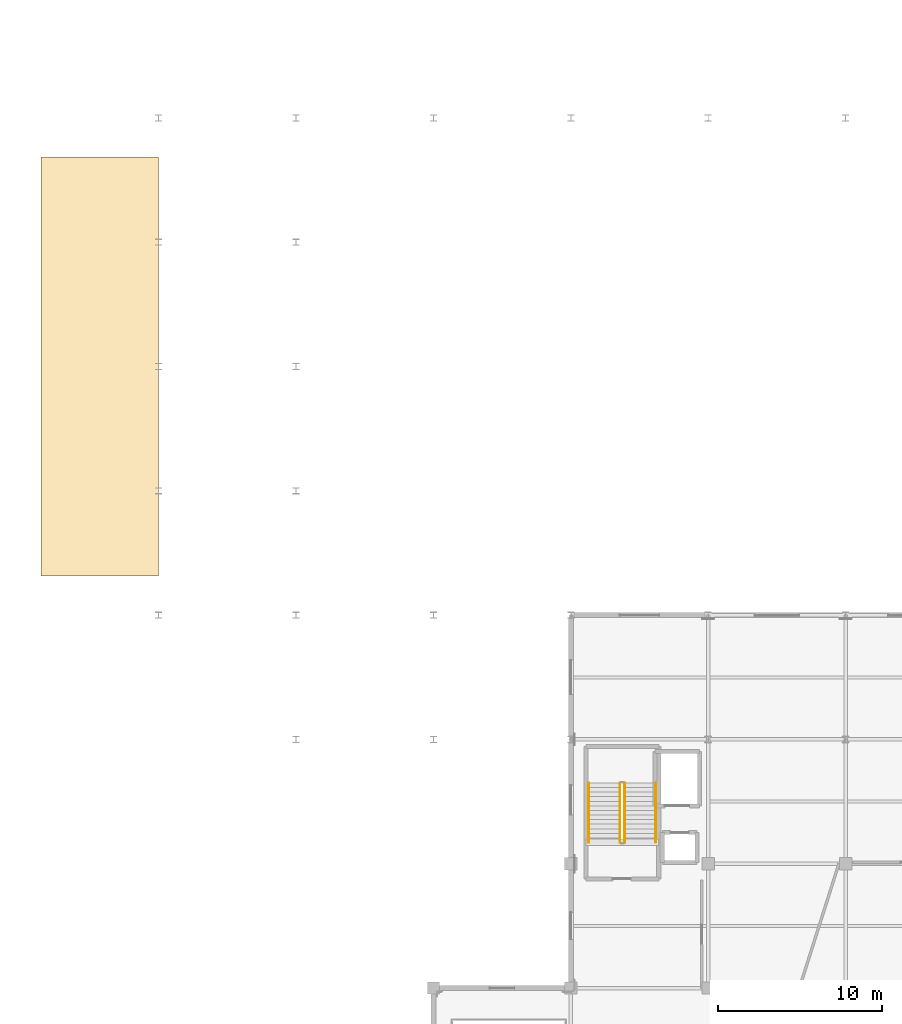
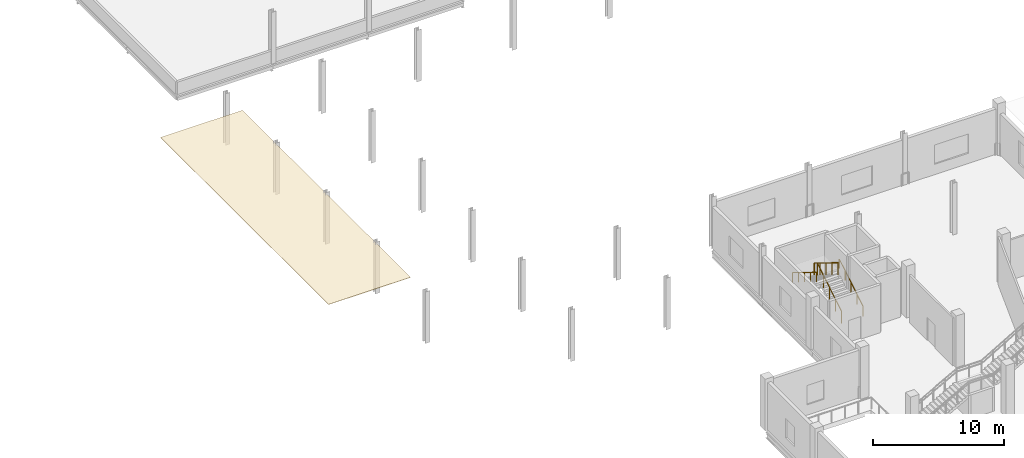
# One storey, part 36 of 51: 4 railings, 1 covering.
"""IFC4 building model written with IfcOpenShell, lengths in metres."""

from ifc_helpers import new_model, si_unit, direction, frame, origin, origin_2d, place, context, subcontext, project, spatial, polyline, circle, outline, extrude, material, layer, layer_set, type_object, element, save


model = new_model("IFC4")

# Units and contexts
model_context = context("Model", 3, precision=1e-05, world=origin(), true_north=direction((0.0, 1.0)))
body_context = subcontext(model_context, "Body", "Model", "MODEL_VIEW")
ifc_project = project(units=[si_unit("LENGTHUNIT", "METRE"), si_unit("AREAUNIT", "SQUARE_METRE"), si_unit("VOLUMEUNIT", "CUBIC_METRE"), si_unit("PLANEANGLEUNIT", "RADIAN"), si_unit("MASSUNIT", "GRAM", prefix="KILO")], contexts=[model_context])

# Site, building, storey
site_placement = place(None, origin())
site = spatial("IfcSite", under=ifc_project, at=site_placement, CompositionType="ELEMENT")
building_placement = place(site_placement, origin())
building = spatial("IfcBuilding", under=site, at=building_placement, Name="Zuvorla Pavilion Media Centre", CompositionType="ELEMENT")
storey_placement = place(building_placement, frame((0.0, 0.0, 4.800048828125)))
storey = spatial("IfcBuildingStorey", under=building, at=storey_placement, Name="L01", CompositionType="ELEMENT", Elevation=4.800048828125)

# Covering
ifc_material_1 = material(Name="Odum Iroko hardwood timber acoustic slats", Category="wood")
ifc_layer = layer(ifc_material_1, 0.0400390625)
ifc_layer_set = layer_set([ifc_layer], Name="Odum Iroko hardwood timber acoustic slats")
covering_type = type_object("IfcCoveringType", Name="COV-SOFFIT-ODUM", PredefinedType="CEILING", material=ifc_layer_set)
covering_placement = place(storey_placement, frame((0.0, 0.0, 4.5)))
element("IfcCovering", 1, at=covering_placement, inside=storey, type_object=covering_type, Name="L01 Odum timber soffit SOF-WEST", PredefinedType="CEILING", context=body_context, shape_type="SweptSolid", body=[
    extrude(outline(polyline([(9.199951171875, 54.0), (16.39990234375, 54.0), (16.39990234375, 79.60009765625), (9.199951171875, 79.60009765625), (9.199951171875, 54.0)])), origin(), (0.0, 0.0, 1.0), 0.0400390625),
])

# Railings
ifc_material_2 = material(Name="Powder-coated steel balustrade guard", Category="steel")
railing_type_1 = type_object("IfcRailingType", Name="RL-INT-GRD", PredefinedType="BALUSTRADE", material=ifc_material_2)
railing_1_placement = place(storey_placement, frame((44.89990234375, 37.699951171875, 0.17138671875)))
element("IfcRailing", 2, at=railing_1_placement, inside=storey, type_object=railing_type_1, Name="L01 ST-03 stair guard 1", PredefinedType="BALUSTRADE", context=body_context, shape_type="SweptSolid", body=[
    extrude(circle(Radius=0.02392578125, at=origin_2d()), frame((0.0, 0.024658203125, 1.111083984375), z_axis=(0.0, 0.852865859571, 0.52213008492), x_axis=(-1.0, 0.0, 0.0)), (0.0, 0.0, 1.0), 4.21044921875),
    extrude(circle(Radius=0.02099609375, at=origin_2d()), origin(), (0.0, 0.0, 1.0), 1.070068359375),
    extrude(circle(Radius=0.02099609375, at=origin_2d()), frame((0.0, 0.91015625, 0.55712890625)), (0.0, 0.0, 1.0), 1.070068359375),
    extrude(circle(Radius=0.02099609375, at=origin_2d()), frame((0.0, 1.820068359375, 1.1142578125)), (0.0, 0.0, 1.0), 1.070068359375),
    extrude(circle(Radius=0.02099609375, at=origin_2d()), frame((0.0, 2.72998046875, 1.67138671875)), (0.0, 0.0, 1.0), 1.070068359375),
    extrude(circle(Radius=0.02099609375, at=origin_2d()), frame((0.0, 3.64013671875, 2.228515625)), (0.0, 0.0, 1.0), 1.070068359375),
])
railing_2_placement = place(storey_placement, frame((44.60009765625, 41.340087890625, 2.5712890625)))
element("IfcRailing", 3, at=railing_2_placement, inside=storey, type_object=railing_type_1, Name="L01 ST-03 stair guard 3", PredefinedType="BALUSTRADE", context=body_context, shape_type="SweptSolid", body=[
    extrude(circle(Radius=0.02392578125, at=origin_2d()), frame((0.0, -0.024658203125, 1.111083984375), z_axis=(0.0, -0.852840387347, 0.522171689878), x_axis=(1.0, 0.0, 0.0)), (0.0, 0.0, 1.0), 4.21044921875),
    extrude(circle(Radius=0.02099609375, at=origin_2d()), origin(), (0.0, 0.0, 1.0), 1.070068359375),
    extrude(circle(Radius=0.02099609375, at=origin_2d()), frame((0.0, -0.91015625, 0.55712890625)), (0.0, 0.0, 1.0), 1.070068359375),
    extrude(circle(Radius=0.02099609375, at=origin_2d()), frame((0.0, -1.820068359375, 1.1142578125)), (0.0, 0.0, 1.0), 1.070068359375),
    extrude(circle(Radius=0.02099609375, at=origin_2d()), frame((0.0, -2.72998046875, 1.671630859375)), (0.0, 0.0, 1.0), 1.070068359375),
    extrude(circle(Radius=0.02099609375, at=origin_2d()), frame((0.0, -3.64013671875, 2.228759765625)), (0.0, 0.0, 1.0), 1.070068359375),
])
ifc_material_3 = material(Name="Brushed stainless steel tubular handrail", Category="steel")
railing_type_2 = type_object("IfcRailingType", Name="RL-INT-HND", PredefinedType="HANDRAIL", material=ifc_material_3)
railing_3_placement = place(storey_placement, frame((46.800048828125, 37.699951171875, 0.17138671875)))
element("IfcRailing", 4, at=railing_3_placement, inside=storey, type_object=railing_type_2, Name="L01 ST-03 handrail 1", PredefinedType="HANDRAIL", context=body_context, shape_type="SweptSolid", body=[
    extrude(circle(Radius=0.02392578125, at=origin_2d()), frame((0.0, 0.024658203125, 0.890869140625), z_axis=(0.0, 0.852865859571, 0.52213008492), x_axis=(-1.0, 0.0, 0.0)), (0.0, 0.0, 1.0), 4.21044921875),
    extrude(circle(Radius=0.02099609375, at=origin_2d()), origin(), (0.0, 0.0, 1.0), 0.849853515625),
    extrude(circle(Radius=0.02099609375, at=origin_2d()), frame((0.0, 0.91015625, 0.55712890625)), (0.0, 0.0, 1.0), 0.849853515625),
    extrude(circle(Radius=0.02099609375, at=origin_2d()), frame((0.0, 1.820068359375, 1.1142578125)), (0.0, 0.0, 1.0), 0.849853515625),
    extrude(circle(Radius=0.02099609375, at=origin_2d()), frame((0.0, 2.72998046875, 1.67138671875)), (0.0, 0.0, 1.0), 0.849853515625),
    extrude(circle(Radius=0.02099609375, at=origin_2d()), frame((0.0, 3.64013671875, 2.228515625)), (0.0, 0.0, 1.0), 0.849853515625),
])
railing_4_placement = place(storey_placement, frame((42.699951171875, 41.340087890625, 2.5712890625)))
element("IfcRailing", 5, at=railing_4_placement, inside=storey, type_object=railing_type_2, Name="L01 ST-03 handrail 2", PredefinedType="HANDRAIL", context=body_context, shape_type="SweptSolid", body=[
    extrude(circle(Radius=0.02392578125, at=origin_2d()), frame((0.0, -0.024658203125, 0.890869140625), z_axis=(0.0, -0.852840387347, 0.522171689878), x_axis=(1.0, 0.0, 0.0)), (0.0, 0.0, 1.0), 4.21044921875),
    extrude(circle(Radius=0.02099609375, at=origin_2d()), origin(), (0.0, 0.0, 1.0), 0.849853515625),
    extrude(circle(Radius=0.02099609375, at=origin_2d()), frame((0.0, -0.91015625, 0.55712890625)), (0.0, 0.0, 1.0), 0.849853515625),
    extrude(circle(Radius=0.02099609375, at=origin_2d()), frame((0.0, -1.820068359375, 1.1142578125)), (0.0, 0.0, 1.0), 0.849853515625),
    extrude(circle(Radius=0.02099609375, at=origin_2d()), frame((0.0, -2.72998046875, 1.671630859375)), (0.0, 0.0, 1.0), 0.849853515625),
    extrude(circle(Radius=0.02099609375, at=origin_2d()), frame((0.0, -3.64013671875, 2.228759765625)), (0.0, 0.0, 1.0), 0.849853515625),
])

save(model, "model.ifc")
